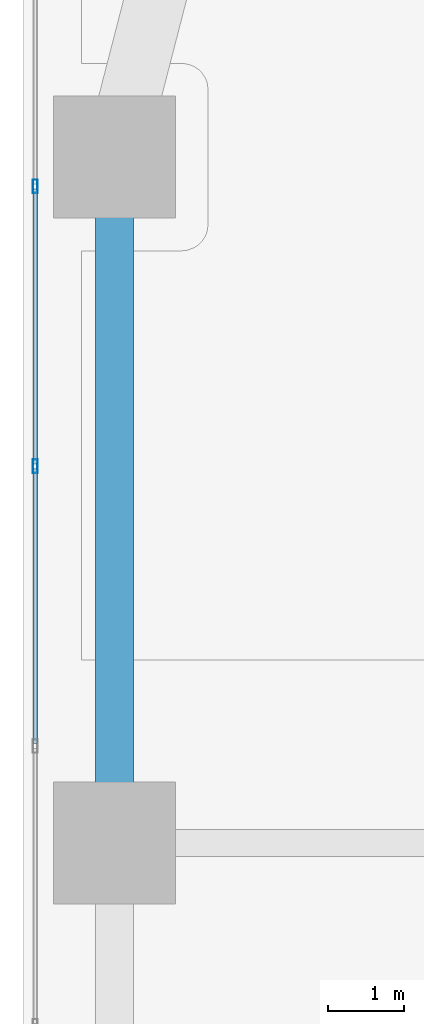
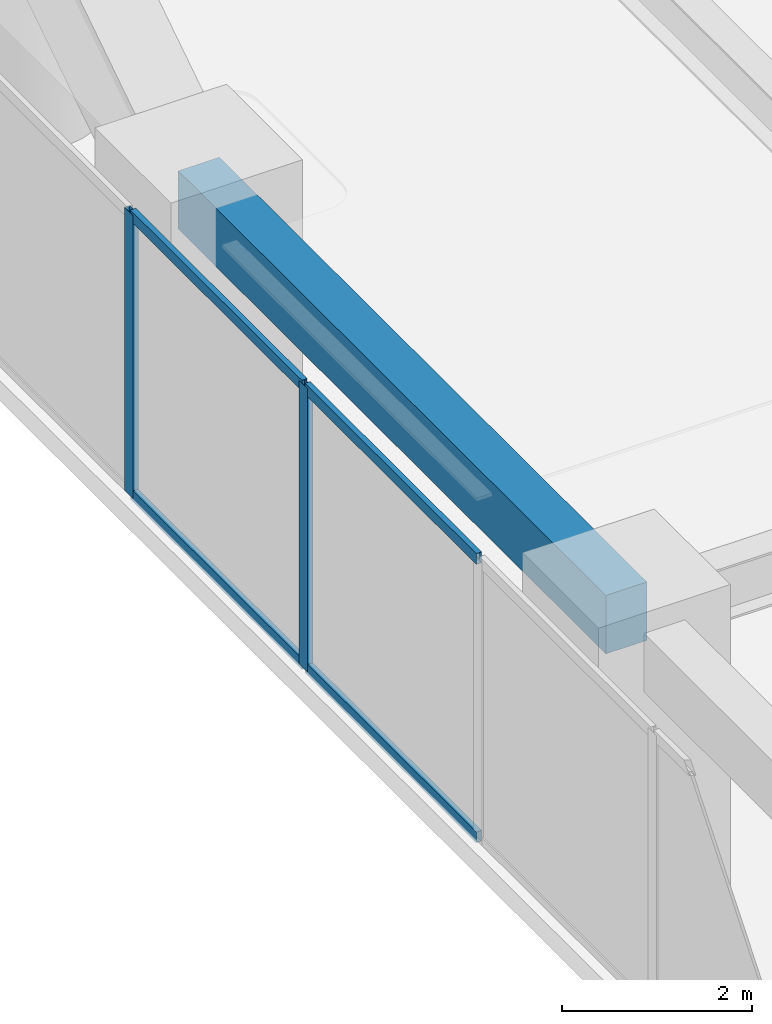
# One storey, part 12 of 29: 6 members, 1 beam, 1 element without a shape of its own.
"""IFC4 building model written with IfcOpenShell, lengths in metres."""

from ifc_helpers import new_model, si_unit, direction, frame, origin, origin_2d, place, context, subcontext, project, spatial, rectangle, hollow_rectangle, extrude, material, layer, layer_set, material_profile, profile_set, type_object, element, aggregate, save


model = new_model("IFC4")

# Units and contexts
model_context = context("Model", 3, precision=1e-05, world=origin(), true_north=direction((0.0, 1.0)))
body_context = subcontext(model_context, "Body", "Model", "MODEL_VIEW")
ifc_project = project(units=[si_unit("LENGTHUNIT", "METRE"), si_unit("AREAUNIT", "SQUARE_METRE"), si_unit("VOLUMEUNIT", "CUBIC_METRE"), si_unit("PLANEANGLEUNIT", "RADIAN"), si_unit("MASSUNIT", "GRAM", prefix="KILO")], contexts=[model_context])

# Site, building, storey
site_placement = place(None, origin())
site = spatial("IfcSite", under=ifc_project, at=site_placement, CompositionType="ELEMENT")
building_placement = place(site_placement, origin())
building = spatial("IfcBuilding", under=site, at=building_placement, Name="Kiyonajd Concourse Tower", CompositionType="ELEMENT")
storey_placement = place(building_placement, frame((0.0, 0.0, 25.5)))
storey = spatial("IfcBuildingStorey", under=building, at=storey_placement, Name="L07", CompositionType="ELEMENT", Elevation=25.5)

# Beam
ifc_material_1 = material(Name="Precast concrete C50/60", Category="concrete")
ifc_material_profile_1 = material_profile(ifc_material_1, rectangle(XDim=0.5, YDim=0.75, at=origin_2d()), Name="RCBM-500x750")
ifc_profile_set_1 = profile_set([ifc_material_profile_1], Name="Precast concrete C50/60")
beam_type = type_object("IfcBeamType", Name="BM-SPAN-RC", PredefinedType="SPANDREL", material=ifc_profile_set_1)
beam_placement = place(storey_placement, frame((19.199951171875, 53.39990234375, 3.264892578125), z_axis=(0.0, -1.0, 0.0), x_axis=(1.0, 0.0, 0.0)))
element("IfcBeam", 1, at=beam_placement, inside=storey, type_object=beam_type, Name="L07 Perimeter Bundled Tube Spandrel", PredefinedType="SPANDREL", context=body_context, shape_type="SweptSolid", body=[
    extrude(rectangle(XDim=0.5, YDim=0.75, at=origin_2d()), origin(), (0.0, 0.0, 1.0), 9.0),
])

# Curtain wall, members
ifc_material_2 = material(Name="Thermally Broken Anodised Aluminium", Category="aluminium")
ifc_layer = layer(ifc_material_2, 0.179931640625)
ifc_layer_set = layer_set([ifc_layer], Name="Thermally Broken Anodised Aluminium")
curtain_wall_type = type_object("IfcCurtainWallType", Name="CW-SYS-02", PredefinedType="NOTDEFINED", material=ifc_layer_set)
curtain_wall_placement = place(storey_placement, origin())
curtain_wall = element("IfcCurtainWall", 2, at=curtain_wall_placement, inside=storey, type_object=curtain_wall_type, Name="L07 Unitised Curtain Wall CW2", PredefinedType="NOTDEFINED")
ifc_material_profile_2 = material_profile(ifc_material_2, hollow_rectangle(XDim=0.06494140625, YDim=0.179931640625, WallThickness=0.00390625, at=origin_2d()), Name="MULL-65x180")
ifc_profile_set_2 = profile_set([ifc_material_profile_2], Name="Thermally Broken Anodised Aluminium")
member_type_1 = type_object("IfcMemberType", Name="MB-CW-MULL1", PredefinedType="MULLION", material=ifc_profile_set_2)
member_1_placement = place(storey_placement, frame((18.159912109375, 49.342529296875, 0.0), z_axis=(0.0, 0.0, 1.0), x_axis=(-1.0, 0.0, 0.0)))
member_1 = element("IfcMember", 3, at=member_1_placement, type_object=member_type_1, Name="CW2 mullion 5", PredefinedType="MULLION", context=body_context, shape_type="SweptSolid", body=[
    extrude(hollow_rectangle(XDim=0.06494140625, YDim=0.179931640625, WallThickness=0.00390625, at=origin_2d()), origin(), (0.0, 0.0, 1.0), 3.639892578125),
])
member_2_placement = place(storey_placement, frame((18.159912109375, 53.015869140625, 0.0), z_axis=(0.0, 0.0, 1.0), x_axis=(-1.0, 0.0, 0.0)))
member_2 = element("IfcMember", 4, at=member_2_placement, type_object=member_type_1, Name="CW2 mullion 6", PredefinedType="MULLION", context=body_context, shape_type="SweptSolid", body=[
    extrude(hollow_rectangle(XDim=0.06494140625, YDim=0.179931640625, WallThickness=0.00390625, at=origin_2d()), origin(), (0.0, 0.0, 1.0), 3.639892578125),
])
ifc_material_profile_3 = material_profile(ifc_material_2, hollow_rectangle(XDim=0.06494140625, YDim=0.139892578125, WallThickness=0.00390625, at=origin_2d()), Name="TRAN-65x140")
ifc_profile_set_3 = profile_set([ifc_material_profile_3], Name="Thermally Broken Anodised Aluminium")
member_type_2 = type_object("IfcMemberType", Name="MB-CW-TRAN1", PredefinedType="USERDEFINED", material=ifc_profile_set_3)
member_3_placement = place(storey_placement, frame((18.159912109375, 45.701904296875, 0.032470703125), z_axis=(0.0, 1.0, 0.0), x_axis=(-1.0, 0.0, 0.0)))
member_3 = element("IfcMember", 5, at=member_3_placement, type_object=member_type_2, Name="CW2 transom 4.1", ObjectType="TRANSOM", PredefinedType="USERDEFINED", context=body_context, shape_type="SweptSolid", body=[
    extrude(hollow_rectangle(XDim=0.06494140625, YDim=0.139892578125, WallThickness=0.00390625, at=origin_2d()), origin(), (0.0, 0.0, 1.0), 3.608154296875),
])
member_4_placement = place(storey_placement, frame((18.159912109375, 45.701904296875, 3.607421875), z_axis=(0.0, 1.0, 0.0), x_axis=(-1.0, 0.0, 0.0)))
member_4 = element("IfcMember", 6, at=member_4_placement, type_object=member_type_2, Name="CW2 transom 4.2", ObjectType="TRANSOM", PredefinedType="USERDEFINED", context=body_context, shape_type="SweptSolid", body=[
    extrude(hollow_rectangle(XDim=0.06494140625, YDim=0.139892578125, WallThickness=0.00390625, at=origin_2d()), origin(), (0.0, 0.0, 1.0), 3.608154296875),
])
member_5_placement = place(storey_placement, frame((18.159912109375, 49.375, 0.032470703125), z_axis=(0.0, 1.0, 0.0), x_axis=(-1.0, 0.0, 0.0)))
member_5 = element("IfcMember", 7, at=member_5_placement, type_object=member_type_2, Name="CW2 transom 5.1", ObjectType="TRANSOM", PredefinedType="USERDEFINED", context=body_context, shape_type="SweptSolid", body=[
    extrude(hollow_rectangle(XDim=0.06494140625, YDim=0.139892578125, WallThickness=0.00390625, at=origin_2d()), origin(), (0.0, 0.0, 1.0), 3.608154296875),
])
member_6_placement = place(storey_placement, frame((18.159912109375, 49.375, 3.607421875), z_axis=(0.0, 1.0, 0.0), x_axis=(-1.0, 0.0, 0.0)))
member_6 = element("IfcMember", 8, at=member_6_placement, type_object=member_type_2, Name="CW2 transom 5.2", ObjectType="TRANSOM", PredefinedType="USERDEFINED", context=body_context, shape_type="SweptSolid", body=[
    extrude(hollow_rectangle(XDim=0.06494140625, YDim=0.139892578125, WallThickness=0.00390625, at=origin_2d()), origin(), (0.0, 0.0, 1.0), 3.608154296875),
])
aggregate(curtain_wall, [member_1, member_2, member_3, member_4, member_5, member_6])

save(model, "model.ifc")
